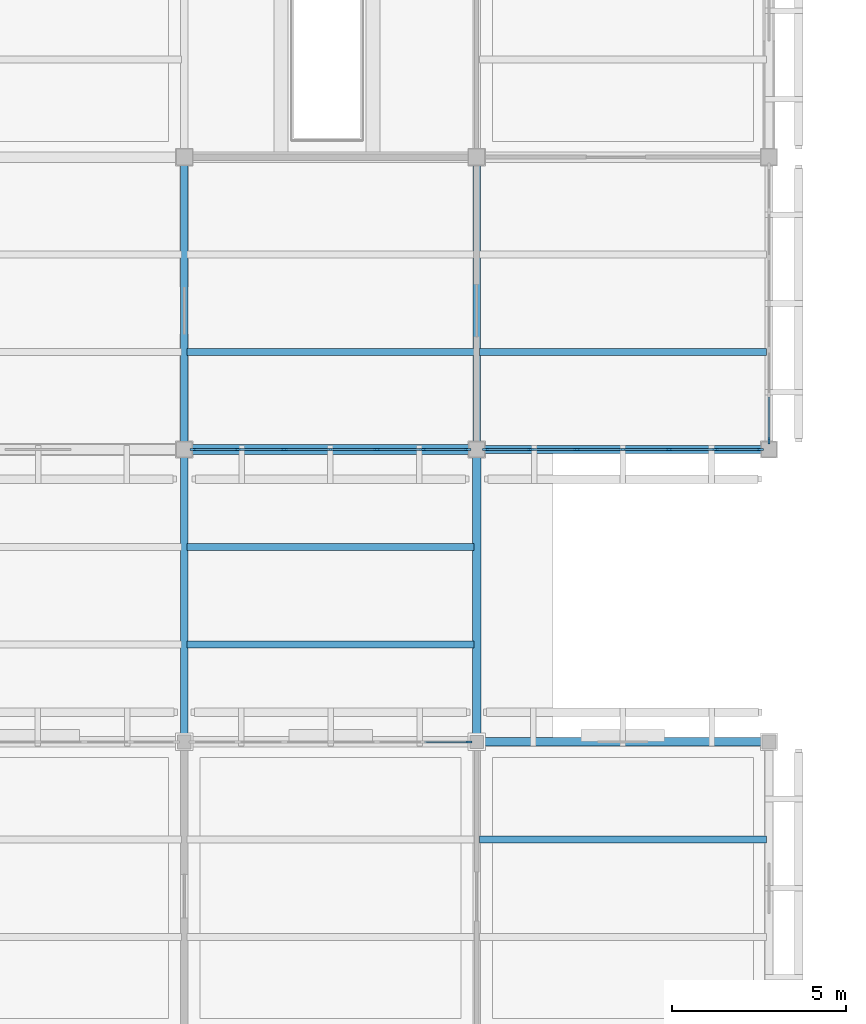
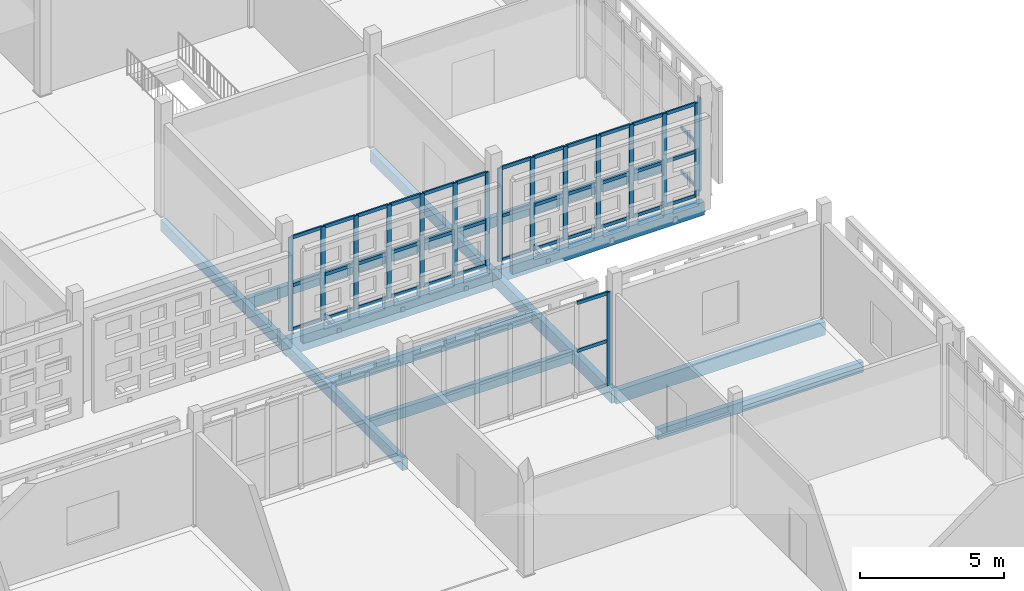
# One storey, part 76 of 203: 56 members, 12 beams, 4 elements without a shape of their own.
"""IFC4 building model written with IfcOpenShell, lengths in metres."""

from ifc_helpers import new_model, si_unit, direction, frame, origin, origin_2d, place, context, subcontext, project, spatial, rectangle, extrude, material, layer, layer_set, material_profile, profile_set, type_object, element, aggregate, save


model = new_model("IFC4")

# Units and contexts
model_context = context("Model", 3, precision=1e-05, world=origin(), true_north=direction((0.0, 1.0)))
body_context = subcontext(model_context, "Body", "Model", "MODEL_VIEW")
ifc_project = project(units=[si_unit("LENGTHUNIT", "METRE"), si_unit("AREAUNIT", "SQUARE_METRE"), si_unit("VOLUMEUNIT", "CUBIC_METRE"), si_unit("PLANEANGLEUNIT", "RADIAN"), si_unit("MASSUNIT", "GRAM", prefix="KILO")], contexts=[model_context])

# Site, building, storey
site_placement = place(None, origin())
site = spatial("IfcSite", under=ifc_project, at=site_placement, CompositionType="ELEMENT")
building_placement = place(site_placement, origin())
building = spatial("IfcBuilding", under=site, at=building_placement, Name="Varnapada Polytechnic", CompositionType="ELEMENT")
storey_placement = place(building_placement, frame((0.0, 0.0, 4.800048828125)))
storey = spatial("IfcBuildingStorey", under=building, at=storey_placement, Name="L01", CompositionType="ELEMENT", Elevation=4.800048828125)

# Beams
ifc_material_1 = material(Name="Glulam GL32h", Category="wood")
ifc_material_profile_1 = material_profile(ifc_material_1, rectangle(XDim=0.199951171875, YDim=0.43994140625, at=origin_2d()), Name="GL 200x440")
ifc_profile_set_1 = profile_set([ifc_material_profile_1], Name="Glulam GL32h")
beam_type_1 = type_object("IfcBeamType", Name="Heavy laboratory glulam joist GJ-03 (GL 200x440)", PredefinedType="JOIST", material=ifc_profile_set_1)
for number, where, z_axis, x_axis, name in (
    (1, (159.679931640625, 53.199951171875, -0.489990234375), (1.0, 0.0, 0.0), (0.0, 1.0, 0.0), "L01 floor joist 20/7.1"),
    (2, (159.679931640625, 56.0, -0.489990234375), (1.0, 0.0, 0.0), (0.0, 1.0, 0.0), "L01 floor joist 20/7.2"),
    (3, (159.679931640625, 61.60009765625, -0.469970703125), (1.0, 0.0, 0.0), (0.0, 1.0, 0.0), "L01 floor joist 20/8.1"),
    (4, (168.080078125, 47.60009765625, -0.469970703125), (1.0, 0.0, 0.0), (0.0, 1.0, 0.0), "L01 floor joist 21/6.2"),
    (5, (168.080078125, 61.60009765625, -0.469970703125), (1.0, 0.0, 0.0), (0.0, 1.0, 0.0), "L01 floor joist 21/8.1"),
):
    element("IfcBeam", number, at=place(storey_placement, frame(where, z_axis=z_axis, x_axis=x_axis)), inside=storey, type_object=beam_type_1, Name=name, PredefinedType="JOIST", context=body_context, shape_type="SweptSolid", body=[
        extrude(rectangle(XDim=0.199951171875, YDim=0.43994140625, at=origin_2d()), origin(), (0.0, 0.0, 1.0), 8.239990234375),
    ])

# Curtain wall, member
ifc_material_2 = material(Name="Double low-E laminated glass", Category="glass")
ifc_layer = layer(ifc_material_2, 0.179931640625)
ifc_layer_set = layer_set([ifc_layer], Name="Double low-E laminated glass")
curtain_wall_type = type_object("IfcCurtainWallType", Name="Curtain Wall CW-04", PredefinedType="NOTDEFINED", material=ifc_layer_set)
curtain_wall_1_placement = place(storey_placement, origin())
curtain_wall_1 = element("IfcCurtainWall", 6, at=curtain_wall_1_placement, inside=storey, type_object=curtain_wall_type, Name="L01 unitised curtain wall CW-04 (112)", PredefinedType="NOTDEFINED")
ifc_material_3 = material(Name="Anodised aluminium", Category="aluminium")
ifc_material_profile_2 = material_profile(ifc_material_3, rectangle(XDim=0.06494140625, YDim=0.179931640625, at=origin_2d()), Name="ALU M65x180")
ifc_profile_set_2 = profile_set([ifc_material_profile_2], Name="Anodised aluminium")
member_type_1 = type_object("IfcMemberType", Name="Mullion M-02", PredefinedType="MULLION", material=ifc_profile_set_2)
member_1_placement = place(storey_placement, frame((167.777587890625, 50.39990234375, 0.0), z_axis=(0.0, 0.0, 1.0), x_axis=(0.0, 1.0, 0.0)))
member_1 = element("IfcMember", 7, at=member_1_placement, type_object=member_type_1, Name="CW-04 mullion 7", PredefinedType="MULLION", context=body_context, shape_type="SweptSolid", body=[
    extrude(rectangle(XDim=0.06494140625, YDim=0.179931640625, at=origin_2d()), origin(), (0.0, 0.0, 1.0), 3.9599609375),
])

# Curtain wall, members
curtain_wall_2_placement = place(storey_placement, origin())
curtain_wall_2 = element("IfcCurtainWall", 8, at=curtain_wall_2_placement, inside=storey, type_object=curtain_wall_type, Name="L01 unitised curtain wall CW-04 (113)", PredefinedType="NOTDEFINED")
member_2_placement = place(storey_placement, frame((167.74755859375, 58.800048828125, 0.0), z_axis=(0.0, 0.0, 1.0), x_axis=(0.0, -1.0, 0.0)))
member_2 = element("IfcMember", 9, at=member_2_placement, type_object=member_type_1, Name="CW-04 mullion 1", PredefinedType="MULLION", context=body_context, shape_type="SweptSolid", body=[
    extrude(rectangle(XDim=0.06494140625, YDim=0.179931640625, at=origin_2d()), origin(), (0.0, 0.0, 1.0), 3.9599609375),
])
member_3_placement = place(storey_placement, frame((166.453369140625, 58.800048828125, 0.0), z_axis=(0.0, 0.0, 1.0), x_axis=(0.0, -1.0, 0.0)))
member_3 = element("IfcMember", 10, at=member_3_placement, type_object=member_type_1, Name="CW-04 mullion 2", PredefinedType="MULLION", context=body_context, shape_type="SweptSolid", body=[
    extrude(rectangle(XDim=0.06494140625, YDim=0.179931640625, at=origin_2d()), origin(), (0.0, 0.0, 1.0), 3.9599609375),
])
member_4_placement = place(storey_placement, frame((165.126708984375, 58.800048828125, 0.0), z_axis=(0.0, 0.0, 1.0), x_axis=(0.0, -1.0, 0.0)))
member_4 = element("IfcMember", 11, at=member_4_placement, type_object=member_type_1, Name="CW-04 mullion 3", PredefinedType="MULLION", context=body_context, shape_type="SweptSolid", body=[
    extrude(rectangle(XDim=0.06494140625, YDim=0.179931640625, at=origin_2d()), origin(), (0.0, 0.0, 1.0), 3.9599609375),
])
member_5_placement = place(storey_placement, frame((163.800048828125, 58.800048828125, 0.0), z_axis=(0.0, 0.0, 1.0), x_axis=(0.0, -1.0, 0.0)))
member_5 = element("IfcMember", 12, at=member_5_placement, type_object=member_type_1, Name="CW-04 mullion 4", PredefinedType="MULLION", context=body_context, shape_type="SweptSolid", body=[
    extrude(rectangle(XDim=0.06494140625, YDim=0.179931640625, at=origin_2d()), origin(), (0.0, 0.0, 1.0), 3.9599609375),
])
member_6_placement = place(storey_placement, frame((162.473388671875, 58.800048828125, 0.0), z_axis=(0.0, 0.0, 1.0), x_axis=(0.0, -1.0, 0.0)))
member_6 = element("IfcMember", 13, at=member_6_placement, type_object=member_type_1, Name="CW-04 mullion 5", PredefinedType="MULLION", context=body_context, shape_type="SweptSolid", body=[
    extrude(rectangle(XDim=0.06494140625, YDim=0.179931640625, at=origin_2d()), origin(), (0.0, 0.0, 1.0), 3.9599609375),
])
member_7_placement = place(storey_placement, frame((161.146728515625, 58.800048828125, 0.0), z_axis=(0.0, 0.0, 1.0), x_axis=(0.0, -1.0, 0.0)))
member_7 = element("IfcMember", 14, at=member_7_placement, type_object=member_type_1, Name="CW-04 mullion 6", PredefinedType="MULLION", context=body_context, shape_type="SweptSolid", body=[
    extrude(rectangle(XDim=0.06494140625, YDim=0.179931640625, at=origin_2d()), origin(), (0.0, 0.0, 1.0), 3.9599609375),
])
member_8_placement = place(storey_placement, frame((159.8525390625, 58.800048828125, 0.0), z_axis=(0.0, 0.0, 1.0), x_axis=(0.0, -1.0, 0.0)))
member_8 = element("IfcMember", 15, at=member_8_placement, type_object=member_type_1, Name="CW-04 mullion 7", PredefinedType="MULLION", context=body_context, shape_type="SweptSolid", body=[
    extrude(rectangle(XDim=0.06494140625, YDim=0.179931640625, at=origin_2d()), origin(), (0.0, 0.0, 1.0), 3.9599609375),
])

curtain_wall_3_placement = place(storey_placement, origin())
curtain_wall_3 = element("IfcCurtainWall", 16, at=curtain_wall_3_placement, inside=storey, type_object=curtain_wall_type, Name="L01 unitised curtain wall CW-04 (121)", PredefinedType="NOTDEFINED")
member_9_placement = place(storey_placement, frame((176.1474609375, 58.800048828125, 0.0), z_axis=(0.0, 0.0, 1.0), x_axis=(0.0, -1.0, 0.0)))
member_9 = element("IfcMember", 17, at=member_9_placement, type_object=member_type_1, Name="CW-04 mullion 1", PredefinedType="MULLION", context=body_context, shape_type="SweptSolid", body=[
    extrude(rectangle(XDim=0.06494140625, YDim=0.179931640625, at=origin_2d()), origin(), (0.0, 0.0, 1.0), 3.9599609375),
])
member_10_placement = place(storey_placement, frame((174.853271484375, 58.800048828125, 0.0), z_axis=(0.0, 0.0, 1.0), x_axis=(0.0, -1.0, 0.0)))
member_10 = element("IfcMember", 18, at=member_10_placement, type_object=member_type_1, Name="CW-04 mullion 2", PredefinedType="MULLION", context=body_context, shape_type="SweptSolid", body=[
    extrude(rectangle(XDim=0.06494140625, YDim=0.179931640625, at=origin_2d()), origin(), (0.0, 0.0, 1.0), 3.9599609375),
])
member_11_placement = place(storey_placement, frame((173.526611328125, 58.800048828125, 0.0), z_axis=(0.0, 0.0, 1.0), x_axis=(0.0, -1.0, 0.0)))
member_11 = element("IfcMember", 19, at=member_11_placement, type_object=member_type_1, Name="CW-04 mullion 3", PredefinedType="MULLION", context=body_context, shape_type="SweptSolid", body=[
    extrude(rectangle(XDim=0.06494140625, YDim=0.179931640625, at=origin_2d()), origin(), (0.0, 0.0, 1.0), 3.9599609375),
])
member_12_placement = place(storey_placement, frame((172.199951171875, 58.800048828125, 0.0), z_axis=(0.0, 0.0, 1.0), x_axis=(0.0, -1.0, 0.0)))
member_12 = element("IfcMember", 20, at=member_12_placement, type_object=member_type_1, Name="CW-04 mullion 4", PredefinedType="MULLION", context=body_context, shape_type="SweptSolid", body=[
    extrude(rectangle(XDim=0.06494140625, YDim=0.179931640625, at=origin_2d()), origin(), (0.0, 0.0, 1.0), 3.9599609375),
])
member_13_placement = place(storey_placement, frame((170.873291015625, 58.800048828125, 0.0), z_axis=(0.0, 0.0, 1.0), x_axis=(0.0, -1.0, 0.0)))
member_13 = element("IfcMember", 21, at=member_13_placement, type_object=member_type_1, Name="CW-04 mullion 5", PredefinedType="MULLION", context=body_context, shape_type="SweptSolid", body=[
    extrude(rectangle(XDim=0.06494140625, YDim=0.179931640625, at=origin_2d()), origin(), (0.0, 0.0, 1.0), 3.9599609375),
])
member_14_placement = place(storey_placement, frame((169.546630859375, 58.800048828125, 0.0), z_axis=(0.0, 0.0, 1.0), x_axis=(0.0, -1.0, 0.0)))
member_14 = element("IfcMember", 22, at=member_14_placement, type_object=member_type_1, Name="CW-04 mullion 6", PredefinedType="MULLION", context=body_context, shape_type="SweptSolid", body=[
    extrude(rectangle(XDim=0.06494140625, YDim=0.179931640625, at=origin_2d()), origin(), (0.0, 0.0, 1.0), 3.9599609375),
])
member_15_placement = place(storey_placement, frame((168.25244140625, 58.800048828125, 0.0), z_axis=(0.0, 0.0, 1.0), x_axis=(0.0, -1.0, 0.0)))
member_15 = element("IfcMember", 23, at=member_15_placement, type_object=member_type_1, Name="CW-04 mullion 7", PredefinedType="MULLION", context=body_context, shape_type="SweptSolid", body=[
    extrude(rectangle(XDim=0.06494140625, YDim=0.179931640625, at=origin_2d()), origin(), (0.0, 0.0, 1.0), 3.9599609375),
])

# Curtain wall, member
curtain_wall_4_placement = place(storey_placement, origin())
curtain_wall_4 = element("IfcCurtainWall", 24, at=curtain_wall_4_placement, inside=storey, type_object=curtain_wall_type, Name="L01 unitised curtain wall CW-04 (122)", PredefinedType="NOTDEFINED")
member_16_placement = place(storey_placement, frame((176.39990234375, 59.052490234375, 0.0), z_axis=(0.0, 0.0, 1.0), x_axis=(1.0, 0.0, 0.0)))
member_16 = element("IfcMember", 25, at=member_16_placement, type_object=member_type_1, Name="CW-04 mullion 7", PredefinedType="MULLION", context=body_context, shape_type="SweptSolid", body=[
    extrude(rectangle(XDim=0.06494140625, YDim=0.179931640625, at=origin_2d()), origin(), (0.0, 0.0, 1.0), 3.9599609375),
])

# Beams
ifc_material_profile_3 = material_profile(ifc_material_1, rectangle(XDim=0.239990234375, YDim=0.56005859375, at=origin_2d()), Name="GL 240x560")
ifc_profile_set_3 = profile_set([ifc_material_profile_3], Name="Glulam GL32h")
beam_type_2 = type_object("IfcBeamType", Name="Perimeter glulam spandrel beam SP-02 (GL 240x560)", PredefinedType="SPANDREL", material=ifc_profile_set_3)
for number, where, z_axis, x_axis, name in (
    (26, (168.0, 50.39990234375, -0.550048828125), (1.0, 0.0, 0.0), (0.0, 1.0, 0.0), "L01 beam X 21-22 at Y7"),
    (27, (168.0, 58.800048828125, -0.550048828125), (1.0, 0.0, 0.0), (0.0, 1.0, 0.0), "L01 beam X 21-22 at Y8"),
):
    element("IfcBeam", number, at=place(storey_placement, frame(where, z_axis=z_axis, x_axis=x_axis)), inside=storey, type_object=beam_type_2, Name=name, PredefinedType="SPANDREL", context=body_context, shape_type="SweptSolid", body=[
        extrude(rectangle(XDim=0.239990234375, YDim=0.56005859375, at=origin_2d()), origin(), (0.0, 0.0, 1.0), 8.39990234375),
    ])
beam_1_placement = place(storey_placement, frame((168.0, 50.39990234375, -0.550048828125), z_axis=(0.0, 1.0, 0.0), x_axis=(-1.0, 0.0, 0.0)))
element("IfcBeam", 28, at=beam_1_placement, inside=storey, type_object=beam_type_2, Name="L01 beam Y 7-8 at X21", PredefinedType="SPANDREL", context=body_context, shape_type="SweptSolid", body=[
    extrude(rectangle(XDim=0.239990234375, YDim=0.56005859375, at=origin_2d()), origin(), (0.0, 0.0, 1.0), 8.400146484375),
])

# Member
ifc_material_profile_4 = material_profile(ifc_material_3, rectangle(XDim=0.06494140625, YDim=0.139892578125, at=origin_2d()), Name="ALU T65x140")
ifc_profile_set_4 = profile_set([ifc_material_profile_4], Name="Anodised aluminium")
member_type_2 = type_object("IfcMemberType", Name="Transom T-02", PredefinedType="USERDEFINED", material=ifc_profile_set_4)
member_17_placement = place(storey_placement, frame((166.507568359375, 50.39990234375, 1.900634765625), z_axis=(1.0, 0.0, 0.0), x_axis=(0.0, 1.0, 0.0)))
member_17 = element("IfcMember", 29, at=member_17_placement, type_object=member_type_2, Name="CW-04 transom 6.2", ObjectType="TRANSOM", PredefinedType="USERDEFINED", context=body_context, shape_type="SweptSolid", body=[
    extrude(rectangle(XDim=0.06494140625, YDim=0.139892578125, at=origin_2d()), origin(), (0.0, 0.0, 1.0), 1.237548828125),
])

member_18_placement = place(storey_placement, frame((166.507568359375, 50.39990234375, 3.927490234375), z_axis=(1.0, 0.0, 0.0), x_axis=(0.0, 1.0, 0.0)))
member_18 = element("IfcMember", 30, at=member_18_placement, type_object=member_type_2, Name="CW-04 transom 6.3", ObjectType="TRANSOM", PredefinedType="USERDEFINED", context=body_context, shape_type="SweptSolid", body=[
    extrude(rectangle(XDim=0.06494140625, YDim=0.139892578125, at=origin_2d()), origin(), (0.0, 0.0, 1.0), 1.237548828125),
])

aggregate(curtain_wall_1, [member_1, member_17, member_18])

member_19_placement = place(storey_placement, frame((167.715087890625, 58.800048828125, 0.032470703125), z_axis=(-1.0, 0.0, 0.0), x_axis=(0.0, -1.0, 0.0)))
member_19 = element("IfcMember", 31, at=member_19_placement, type_object=member_type_2, Name="CW-04 transom 1.1", ObjectType="TRANSOM", PredefinedType="USERDEFINED", context=body_context, shape_type="SweptSolid", body=[
    extrude(rectangle(XDim=0.06494140625, YDim=0.139892578125, at=origin_2d()), origin(), (0.0, 0.0, 1.0), 1.229248046875),
])

member_20_placement = place(storey_placement, frame((167.715087890625, 58.800048828125, 1.900634765625), z_axis=(-1.0, 0.0, 0.0), x_axis=(0.0, -1.0, 0.0)))
member_20 = element("IfcMember", 32, at=member_20_placement, type_object=member_type_2, Name="CW-04 transom 1.2", ObjectType="TRANSOM", PredefinedType="USERDEFINED", context=body_context, shape_type="SweptSolid", body=[
    extrude(rectangle(XDim=0.06494140625, YDim=0.139892578125, at=origin_2d()), origin(), (0.0, 0.0, 1.0), 1.229248046875),
])

member_21_placement = place(storey_placement, frame((167.715087890625, 58.800048828125, 3.927490234375), z_axis=(-1.0, 0.0, 0.0), x_axis=(0.0, -1.0, 0.0)))
member_21 = element("IfcMember", 33, at=member_21_placement, type_object=member_type_2, Name="CW-04 transom 1.3", ObjectType="TRANSOM", PredefinedType="USERDEFINED", context=body_context, shape_type="SweptSolid", body=[
    extrude(rectangle(XDim=0.06494140625, YDim=0.139892578125, at=origin_2d()), origin(), (0.0, 0.0, 1.0), 1.229248046875),
])

member_22_placement = place(storey_placement, frame((166.4208984375, 58.800048828125, 0.032470703125), z_axis=(-1.0, 0.0, 0.0), x_axis=(0.0, -1.0, 0.0)))
member_22 = element("IfcMember", 34, at=member_22_placement, type_object=member_type_2, Name="CW-04 transom 2.1", ObjectType="TRANSOM", PredefinedType="USERDEFINED", context=body_context, shape_type="SweptSolid", body=[
    extrude(rectangle(XDim=0.06494140625, YDim=0.139892578125, at=origin_2d()), origin(), (0.0, 0.0, 1.0), 1.26171875),
])

member_23_placement = place(storey_placement, frame((166.4208984375, 58.800048828125, 1.900634765625), z_axis=(-1.0, 0.0, 0.0), x_axis=(0.0, -1.0, 0.0)))
member_23 = element("IfcMember", 35, at=member_23_placement, type_object=member_type_2, Name="CW-04 transom 2.2", ObjectType="TRANSOM", PredefinedType="USERDEFINED", context=body_context, shape_type="SweptSolid", body=[
    extrude(rectangle(XDim=0.06494140625, YDim=0.139892578125, at=origin_2d()), origin(), (0.0, 0.0, 1.0), 1.26171875),
])

member_24_placement = place(storey_placement, frame((166.4208984375, 58.800048828125, 3.927490234375), z_axis=(-1.0, 0.0, 0.0), x_axis=(0.0, -1.0, 0.0)))
member_24 = element("IfcMember", 36, at=member_24_placement, type_object=member_type_2, Name="CW-04 transom 2.3", ObjectType="TRANSOM", PredefinedType="USERDEFINED", context=body_context, shape_type="SweptSolid", body=[
    extrude(rectangle(XDim=0.06494140625, YDim=0.139892578125, at=origin_2d()), origin(), (0.0, 0.0, 1.0), 1.26171875),
])

member_25_placement = place(storey_placement, frame((165.09423828125, 58.800048828125, 0.032470703125), z_axis=(-1.0, 0.0, 0.0), x_axis=(0.0, -1.0, 0.0)))
member_25 = element("IfcMember", 37, at=member_25_placement, type_object=member_type_2, Name="CW-04 transom 3.1", ObjectType="TRANSOM", PredefinedType="USERDEFINED", context=body_context, shape_type="SweptSolid", body=[
    extrude(rectangle(XDim=0.06494140625, YDim=0.139892578125, at=origin_2d()), origin(), (0.0, 0.0, 1.0), 1.26171875),
])

member_26_placement = place(storey_placement, frame((165.09423828125, 58.800048828125, 1.900634765625), z_axis=(-1.0, 0.0, 0.0), x_axis=(0.0, -1.0, 0.0)))
member_26 = element("IfcMember", 38, at=member_26_placement, type_object=member_type_2, Name="CW-04 transom 3.2", ObjectType="TRANSOM", PredefinedType="USERDEFINED", context=body_context, shape_type="SweptSolid", body=[
    extrude(rectangle(XDim=0.06494140625, YDim=0.139892578125, at=origin_2d()), origin(), (0.0, 0.0, 1.0), 1.26171875),
])

member_27_placement = place(storey_placement, frame((165.09423828125, 58.800048828125, 3.927490234375), z_axis=(-1.0, 0.0, 0.0), x_axis=(0.0, -1.0, 0.0)))
member_27 = element("IfcMember", 39, at=member_27_placement, type_object=member_type_2, Name="CW-04 transom 3.3", ObjectType="TRANSOM", PredefinedType="USERDEFINED", context=body_context, shape_type="SweptSolid", body=[
    extrude(rectangle(XDim=0.06494140625, YDim=0.139892578125, at=origin_2d()), origin(), (0.0, 0.0, 1.0), 1.26171875),
])

member_28_placement = place(storey_placement, frame((163.767578125, 58.800048828125, 0.032470703125), z_axis=(-1.0, 0.0, 0.0), x_axis=(0.0, -1.0, 0.0)))
member_28 = element("IfcMember", 40, at=member_28_placement, type_object=member_type_2, Name="CW-04 transom 4.1", ObjectType="TRANSOM", PredefinedType="USERDEFINED", context=body_context, shape_type="SweptSolid", body=[
    extrude(rectangle(XDim=0.06494140625, YDim=0.139892578125, at=origin_2d()), origin(), (0.0, 0.0, 1.0), 1.26171875),
])

member_29_placement = place(storey_placement, frame((163.767578125, 58.800048828125, 1.900634765625), z_axis=(-1.0, 0.0, 0.0), x_axis=(0.0, -1.0, 0.0)))
member_29 = element("IfcMember", 41, at=member_29_placement, type_object=member_type_2, Name="CW-04 transom 4.2", ObjectType="TRANSOM", PredefinedType="USERDEFINED", context=body_context, shape_type="SweptSolid", body=[
    extrude(rectangle(XDim=0.06494140625, YDim=0.139892578125, at=origin_2d()), origin(), (0.0, 0.0, 1.0), 1.26171875),
])

member_30_placement = place(storey_placement, frame((163.767578125, 58.800048828125, 3.927490234375), z_axis=(-1.0, 0.0, 0.0), x_axis=(0.0, -1.0, 0.0)))
member_30 = element("IfcMember", 42, at=member_30_placement, type_object=member_type_2, Name="CW-04 transom 4.3", ObjectType="TRANSOM", PredefinedType="USERDEFINED", context=body_context, shape_type="SweptSolid", body=[
    extrude(rectangle(XDim=0.06494140625, YDim=0.139892578125, at=origin_2d()), origin(), (0.0, 0.0, 1.0), 1.26171875),
])

member_31_placement = place(storey_placement, frame((162.44091796875, 58.800048828125, 0.032470703125), z_axis=(-1.0, 0.0, 0.0), x_axis=(0.0, -1.0, 0.0)))
member_31 = element("IfcMember", 43, at=member_31_placement, type_object=member_type_2, Name="CW-04 transom 5.1", ObjectType="TRANSOM", PredefinedType="USERDEFINED", context=body_context, shape_type="SweptSolid", body=[
    extrude(rectangle(XDim=0.06494140625, YDim=0.139892578125, at=origin_2d()), origin(), (0.0, 0.0, 1.0), 1.26171875),
])

member_32_placement = place(storey_placement, frame((162.44091796875, 58.800048828125, 1.900634765625), z_axis=(-1.0, 0.0, 0.0), x_axis=(0.0, -1.0, 0.0)))
member_32 = element("IfcMember", 44, at=member_32_placement, type_object=member_type_2, Name="CW-04 transom 5.2", ObjectType="TRANSOM", PredefinedType="USERDEFINED", context=body_context, shape_type="SweptSolid", body=[
    extrude(rectangle(XDim=0.06494140625, YDim=0.139892578125, at=origin_2d()), origin(), (0.0, 0.0, 1.0), 1.26171875),
])

member_33_placement = place(storey_placement, frame((162.44091796875, 58.800048828125, 3.927490234375), z_axis=(-1.0, 0.0, 0.0), x_axis=(0.0, -1.0, 0.0)))
member_33 = element("IfcMember", 45, at=member_33_placement, type_object=member_type_2, Name="CW-04 transom 5.3", ObjectType="TRANSOM", PredefinedType="USERDEFINED", context=body_context, shape_type="SweptSolid", body=[
    extrude(rectangle(XDim=0.06494140625, YDim=0.139892578125, at=origin_2d()), origin(), (0.0, 0.0, 1.0), 1.26171875),
])

member_34_placement = place(storey_placement, frame((161.1142578125, 58.800048828125, 0.032470703125), z_axis=(-1.0, 0.0, 0.0), x_axis=(0.0, -1.0, 0.0)))
member_34 = element("IfcMember", 46, at=member_34_placement, type_object=member_type_2, Name="CW-04 transom 6.1", ObjectType="TRANSOM", PredefinedType="USERDEFINED", context=body_context, shape_type="SweptSolid", body=[
    extrude(rectangle(XDim=0.06494140625, YDim=0.139892578125, at=origin_2d()), origin(), (0.0, 0.0, 1.0), 1.229248046875),
])

member_35_placement = place(storey_placement, frame((161.1142578125, 58.800048828125, 1.900634765625), z_axis=(-1.0, 0.0, 0.0), x_axis=(0.0, -1.0, 0.0)))
member_35 = element("IfcMember", 47, at=member_35_placement, type_object=member_type_2, Name="CW-04 transom 6.2", ObjectType="TRANSOM", PredefinedType="USERDEFINED", context=body_context, shape_type="SweptSolid", body=[
    extrude(rectangle(XDim=0.06494140625, YDim=0.139892578125, at=origin_2d()), origin(), (0.0, 0.0, 1.0), 1.229248046875),
])

member_36_placement = place(storey_placement, frame((161.1142578125, 58.800048828125, 3.927490234375), z_axis=(-1.0, 0.0, 0.0), x_axis=(0.0, -1.0, 0.0)))
member_36 = element("IfcMember", 48, at=member_36_placement, type_object=member_type_2, Name="CW-04 transom 6.3", ObjectType="TRANSOM", PredefinedType="USERDEFINED", context=body_context, shape_type="SweptSolid", body=[
    extrude(rectangle(XDim=0.06494140625, YDim=0.139892578125, at=origin_2d()), origin(), (0.0, 0.0, 1.0), 1.229248046875),
])

aggregate(curtain_wall_2, [member_2, member_3, member_4, member_5, member_6, member_7, member_8, member_19, member_20, member_21, member_22, member_23, member_24, member_25, member_26, member_27, member_28, member_29, member_30, member_31, member_32, member_33, member_34, member_35, member_36])

member_37_placement = place(storey_placement, frame((176.114990234375, 58.800048828125, 0.032470703125), z_axis=(-1.0, 0.0, 0.0), x_axis=(0.0, -1.0, 0.0)))
member_37 = element("IfcMember", 49, at=member_37_placement, type_object=member_type_2, Name="CW-04 transom 1.1", ObjectType="TRANSOM", PredefinedType="USERDEFINED", context=body_context, shape_type="SweptSolid", body=[
    extrude(rectangle(XDim=0.06494140625, YDim=0.139892578125, at=origin_2d()), origin(), (0.0, 0.0, 1.0), 1.229248046875),
])

member_38_placement = place(storey_placement, frame((176.114990234375, 58.800048828125, 1.900634765625), z_axis=(-1.0, 0.0, 0.0), x_axis=(0.0, -1.0, 0.0)))
member_38 = element("IfcMember", 50, at=member_38_placement, type_object=member_type_2, Name="CW-04 transom 1.2", ObjectType="TRANSOM", PredefinedType="USERDEFINED", context=body_context, shape_type="SweptSolid", body=[
    extrude(rectangle(XDim=0.06494140625, YDim=0.139892578125, at=origin_2d()), origin(), (0.0, 0.0, 1.0), 1.229248046875),
])

member_39_placement = place(storey_placement, frame((176.114990234375, 58.800048828125, 3.927490234375), z_axis=(-1.0, 0.0, 0.0), x_axis=(0.0, -1.0, 0.0)))
member_39 = element("IfcMember", 51, at=member_39_placement, type_object=member_type_2, Name="CW-04 transom 1.3", ObjectType="TRANSOM", PredefinedType="USERDEFINED", context=body_context, shape_type="SweptSolid", body=[
    extrude(rectangle(XDim=0.06494140625, YDim=0.139892578125, at=origin_2d()), origin(), (0.0, 0.0, 1.0), 1.229248046875),
])

member_40_placement = place(storey_placement, frame((174.82080078125, 58.800048828125, 0.032470703125), z_axis=(-1.0, 0.0, 0.0), x_axis=(0.0, -1.0, 0.0)))
member_40 = element("IfcMember", 52, at=member_40_placement, type_object=member_type_2, Name="CW-04 transom 2.1", ObjectType="TRANSOM", PredefinedType="USERDEFINED", context=body_context, shape_type="SweptSolid", body=[
    extrude(rectangle(XDim=0.06494140625, YDim=0.139892578125, at=origin_2d()), origin(), (0.0, 0.0, 1.0), 1.26171875),
])

member_41_placement = place(storey_placement, frame((174.82080078125, 58.800048828125, 1.900634765625), z_axis=(-1.0, 0.0, 0.0), x_axis=(0.0, -1.0, 0.0)))
member_41 = element("IfcMember", 53, at=member_41_placement, type_object=member_type_2, Name="CW-04 transom 2.2", ObjectType="TRANSOM", PredefinedType="USERDEFINED", context=body_context, shape_type="SweptSolid", body=[
    extrude(rectangle(XDim=0.06494140625, YDim=0.139892578125, at=origin_2d()), origin(), (0.0, 0.0, 1.0), 1.26171875),
])

member_42_placement = place(storey_placement, frame((174.82080078125, 58.800048828125, 3.927490234375), z_axis=(-1.0, 0.0, 0.0), x_axis=(0.0, -1.0, 0.0)))
member_42 = element("IfcMember", 54, at=member_42_placement, type_object=member_type_2, Name="CW-04 transom 2.3", ObjectType="TRANSOM", PredefinedType="USERDEFINED", context=body_context, shape_type="SweptSolid", body=[
    extrude(rectangle(XDim=0.06494140625, YDim=0.139892578125, at=origin_2d()), origin(), (0.0, 0.0, 1.0), 1.26171875),
])

member_43_placement = place(storey_placement, frame((173.494140625, 58.800048828125, 0.032470703125), z_axis=(-1.0, 0.0, 0.0), x_axis=(0.0, -1.0, 0.0)))
member_43 = element("IfcMember", 55, at=member_43_placement, type_object=member_type_2, Name="CW-04 transom 3.1", ObjectType="TRANSOM", PredefinedType="USERDEFINED", context=body_context, shape_type="SweptSolid", body=[
    extrude(rectangle(XDim=0.06494140625, YDim=0.139892578125, at=origin_2d()), origin(), (0.0, 0.0, 1.0), 1.26171875),
])

member_44_placement = place(storey_placement, frame((173.494140625, 58.800048828125, 1.900634765625), z_axis=(-1.0, 0.0, 0.0), x_axis=(0.0, -1.0, 0.0)))
member_44 = element("IfcMember", 56, at=member_44_placement, type_object=member_type_2, Name="CW-04 transom 3.2", ObjectType="TRANSOM", PredefinedType="USERDEFINED", context=body_context, shape_type="SweptSolid", body=[
    extrude(rectangle(XDim=0.06494140625, YDim=0.139892578125, at=origin_2d()), origin(), (0.0, 0.0, 1.0), 1.26171875),
])

member_45_placement = place(storey_placement, frame((173.494140625, 58.800048828125, 3.927490234375), z_axis=(-1.0, 0.0, 0.0), x_axis=(0.0, -1.0, 0.0)))
member_45 = element("IfcMember", 57, at=member_45_placement, type_object=member_type_2, Name="CW-04 transom 3.3", ObjectType="TRANSOM", PredefinedType="USERDEFINED", context=body_context, shape_type="SweptSolid", body=[
    extrude(rectangle(XDim=0.06494140625, YDim=0.139892578125, at=origin_2d()), origin(), (0.0, 0.0, 1.0), 1.26171875),
])

member_46_placement = place(storey_placement, frame((172.16748046875, 58.800048828125, 0.032470703125), z_axis=(-1.0, 0.0, 0.0), x_axis=(0.0, -1.0, 0.0)))
member_46 = element("IfcMember", 58, at=member_46_placement, type_object=member_type_2, Name="CW-04 transom 4.1", ObjectType="TRANSOM", PredefinedType="USERDEFINED", context=body_context, shape_type="SweptSolid", body=[
    extrude(rectangle(XDim=0.06494140625, YDim=0.139892578125, at=origin_2d()), origin(), (0.0, 0.0, 1.0), 1.26171875),
])

member_47_placement = place(storey_placement, frame((172.16748046875, 58.800048828125, 1.900634765625), z_axis=(-1.0, 0.0, 0.0), x_axis=(0.0, -1.0, 0.0)))
member_47 = element("IfcMember", 59, at=member_47_placement, type_object=member_type_2, Name="CW-04 transom 4.2", ObjectType="TRANSOM", PredefinedType="USERDEFINED", context=body_context, shape_type="SweptSolid", body=[
    extrude(rectangle(XDim=0.06494140625, YDim=0.139892578125, at=origin_2d()), origin(), (0.0, 0.0, 1.0), 1.26171875),
])

member_48_placement = place(storey_placement, frame((172.16748046875, 58.800048828125, 3.927490234375), z_axis=(-1.0, 0.0, 0.0), x_axis=(0.0, -1.0, 0.0)))
member_48 = element("IfcMember", 60, at=member_48_placement, type_object=member_type_2, Name="CW-04 transom 4.3", ObjectType="TRANSOM", PredefinedType="USERDEFINED", context=body_context, shape_type="SweptSolid", body=[
    extrude(rectangle(XDim=0.06494140625, YDim=0.139892578125, at=origin_2d()), origin(), (0.0, 0.0, 1.0), 1.26171875),
])

member_49_placement = place(storey_placement, frame((170.8408203125, 58.800048828125, 0.032470703125), z_axis=(-1.0, 0.0, 0.0), x_axis=(0.0, -1.0, 0.0)))
member_49 = element("IfcMember", 61, at=member_49_placement, type_object=member_type_2, Name="CW-04 transom 5.1", ObjectType="TRANSOM", PredefinedType="USERDEFINED", context=body_context, shape_type="SweptSolid", body=[
    extrude(rectangle(XDim=0.06494140625, YDim=0.139892578125, at=origin_2d()), origin(), (0.0, 0.0, 1.0), 1.26171875),
])

member_50_placement = place(storey_placement, frame((170.8408203125, 58.800048828125, 1.900634765625), z_axis=(-1.0, 0.0, 0.0), x_axis=(0.0, -1.0, 0.0)))
member_50 = element("IfcMember", 62, at=member_50_placement, type_object=member_type_2, Name="CW-04 transom 5.2", ObjectType="TRANSOM", PredefinedType="USERDEFINED", context=body_context, shape_type="SweptSolid", body=[
    extrude(rectangle(XDim=0.06494140625, YDim=0.139892578125, at=origin_2d()), origin(), (0.0, 0.0, 1.0), 1.26171875),
])

member_51_placement = place(storey_placement, frame((170.8408203125, 58.800048828125, 3.927490234375), z_axis=(-1.0, 0.0, 0.0), x_axis=(0.0, -1.0, 0.0)))
member_51 = element("IfcMember", 63, at=member_51_placement, type_object=member_type_2, Name="CW-04 transom 5.3", ObjectType="TRANSOM", PredefinedType="USERDEFINED", context=body_context, shape_type="SweptSolid", body=[
    extrude(rectangle(XDim=0.06494140625, YDim=0.139892578125, at=origin_2d()), origin(), (0.0, 0.0, 1.0), 1.26171875),
])

member_52_placement = place(storey_placement, frame((169.51416015625, 58.800048828125, 0.032470703125), z_axis=(-1.0, 0.0, 0.0), x_axis=(0.0, -1.0, 0.0)))
member_52 = element("IfcMember", 64, at=member_52_placement, type_object=member_type_2, Name="CW-04 transom 6.1", ObjectType="TRANSOM", PredefinedType="USERDEFINED", context=body_context, shape_type="SweptSolid", body=[
    extrude(rectangle(XDim=0.06494140625, YDim=0.139892578125, at=origin_2d()), origin(), (0.0, 0.0, 1.0), 1.229248046875),
])

member_53_placement = place(storey_placement, frame((169.51416015625, 58.800048828125, 1.900634765625), z_axis=(-1.0, 0.0, 0.0), x_axis=(0.0, -1.0, 0.0)))
member_53 = element("IfcMember", 65, at=member_53_placement, type_object=member_type_2, Name="CW-04 transom 6.2", ObjectType="TRANSOM", PredefinedType="USERDEFINED", context=body_context, shape_type="SweptSolid", body=[
    extrude(rectangle(XDim=0.06494140625, YDim=0.139892578125, at=origin_2d()), origin(), (0.0, 0.0, 1.0), 1.229248046875),
])

member_54_placement = place(storey_placement, frame((169.51416015625, 58.800048828125, 3.927490234375), z_axis=(-1.0, 0.0, 0.0), x_axis=(0.0, -1.0, 0.0)))
member_54 = element("IfcMember", 66, at=member_54_placement, type_object=member_type_2, Name="CW-04 transom 6.3", ObjectType="TRANSOM", PredefinedType="USERDEFINED", context=body_context, shape_type="SweptSolid", body=[
    extrude(rectangle(XDim=0.06494140625, YDim=0.139892578125, at=origin_2d()), origin(), (0.0, 0.0, 1.0), 1.229248046875),
])

aggregate(curtain_wall_3, [member_9, member_10, member_11, member_12, member_13, member_14, member_15, member_37, member_38, member_39, member_40, member_41, member_42, member_43, member_44, member_45, member_46, member_47, member_48, member_49, member_50, member_51, member_52, member_53, member_54])

member_55_placement = place(storey_placement, frame((176.39990234375, 60.3125, 0.032470703125), z_axis=(0.0, -1.0, 0.0), x_axis=(1.0, 0.0, 0.0)))
member_55 = element("IfcMember", 67, at=member_55_placement, type_object=member_type_2, Name="CW-04 transom 6.1", ObjectType="TRANSOM", PredefinedType="USERDEFINED", context=body_context, shape_type="SweptSolid", body=[
    extrude(rectangle(XDim=0.06494140625, YDim=0.139892578125, at=origin_2d()), origin(), (0.0, 0.0, 1.0), 1.2275390625),
])

member_56_placement = place(storey_placement, frame((176.39990234375, 60.3125, 1.900634765625), z_axis=(0.0, -1.0, 0.0), x_axis=(1.0, 0.0, 0.0)))
member_56 = element("IfcMember", 68, at=member_56_placement, type_object=member_type_2, Name="CW-04 transom 6.2", ObjectType="TRANSOM", PredefinedType="USERDEFINED", context=body_context, shape_type="SweptSolid", body=[
    extrude(rectangle(XDim=0.06494140625, YDim=0.139892578125, at=origin_2d()), origin(), (0.0, 0.0, 1.0), 1.2275390625),
])

aggregate(curtain_wall_4, [member_16, member_55, member_56])

# Beams
ifc_material_profile_5 = material_profile(ifc_material_1, rectangle(XDim=0.219970703125, YDim=0.47998046875, at=origin_2d()), Name="GL 220x480")
ifc_profile_set_5 = profile_set([ifc_material_profile_5], Name="Glulam GL32h")
beam_type_3 = type_object("IfcBeamType", Name="Upper floor glulam tie beam GB-11 (GL 220x480)", PredefinedType="BEAM", material=ifc_profile_set_5)
beam_2_placement = place(storey_placement, frame((159.60009765625, 50.39990234375, -0.510009765625), z_axis=(0.0, 1.0, 0.0), x_axis=(-1.0, 0.0, 0.0)))
element("IfcBeam", 69, at=beam_2_placement, inside=storey, type_object=beam_type_3, Name="L01 beam Y 7-8 at X20", PredefinedType="BEAM", context=body_context, shape_type="SweptSolid", body=[
    extrude(rectangle(XDim=0.219970703125, YDim=0.47998046875, at=origin_2d()), origin(), (0.0, 0.0, 1.0), 8.400146484375),
])
for number, where, z_axis, x_axis, name in (
    (70, (159.60009765625, 58.800048828125, -0.510009765625), (0.0, 1.0, 0.0), (-1.0, 0.0, 0.0), "L01 beam Y 8-9 at X20"),
    (71, (168.0, 58.800048828125, -0.510009765625), (0.0, 1.0, 0.0), (-1.0, 0.0, 0.0), "L01 beam Y 8-9 at X21"),
):
    element("IfcBeam", number, at=place(storey_placement, frame(where, z_axis=z_axis, x_axis=x_axis)), inside=storey, type_object=beam_type_3, Name=name, PredefinedType="BEAM", context=body_context, shape_type="SweptSolid", body=[
        extrude(rectangle(XDim=0.219970703125, YDim=0.47998046875, at=origin_2d()), origin(), (0.0, 0.0, 1.0), 8.39990234375),
    ])
ifc_material_profile_6 = material_profile(ifc_material_1, rectangle(XDim=0.300048828125, YDim=0.679931640625, at=origin_2d()), Name="GL 300x680")
ifc_profile_set_6 = profile_set([ifc_material_profile_6], Name="Glulam GL32h")
beam_type_4 = type_object("IfcBeamType", Name="Wet laboratory glulam girder GG-04 (GL 300x680)", PredefinedType="BEAM", material=ifc_profile_set_6)
beam_3_placement = place(storey_placement, frame((159.60009765625, 58.800048828125, -0.610107421875), z_axis=(1.0, 0.0, 0.0), x_axis=(0.0, 1.0, 0.0)))
element("IfcBeam", 72, at=beam_3_placement, inside=storey, type_object=beam_type_4, Name="L01 beam X 20-21 at Y8", PredefinedType="BEAM", context=body_context, shape_type="SweptSolid", body=[
    extrude(rectangle(XDim=0.300048828125, YDim=0.679931640625, at=origin_2d()), origin(), (0.0, 0.0, 1.0), 8.39990234375),
])

save(model, "model.ifc")
